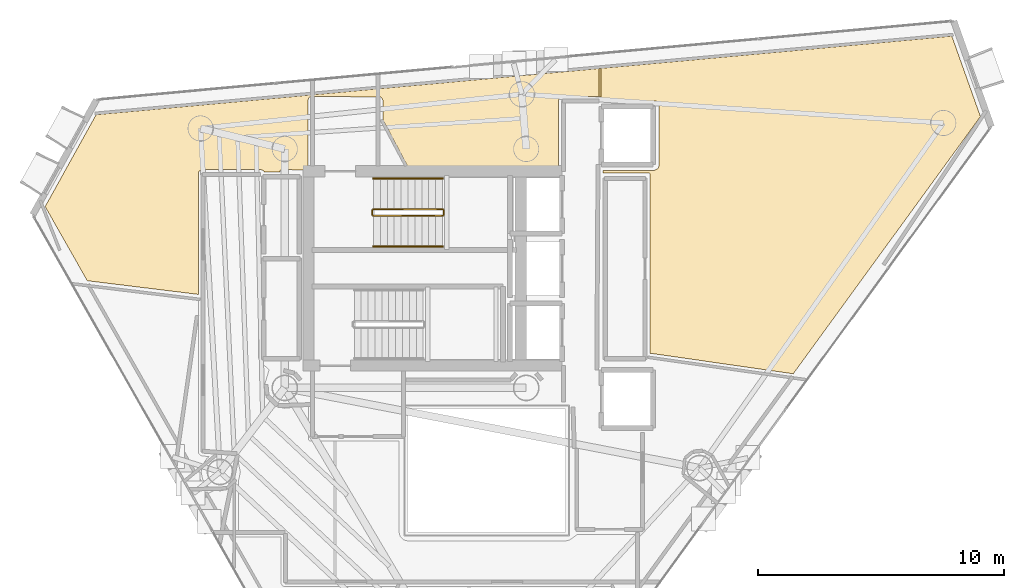
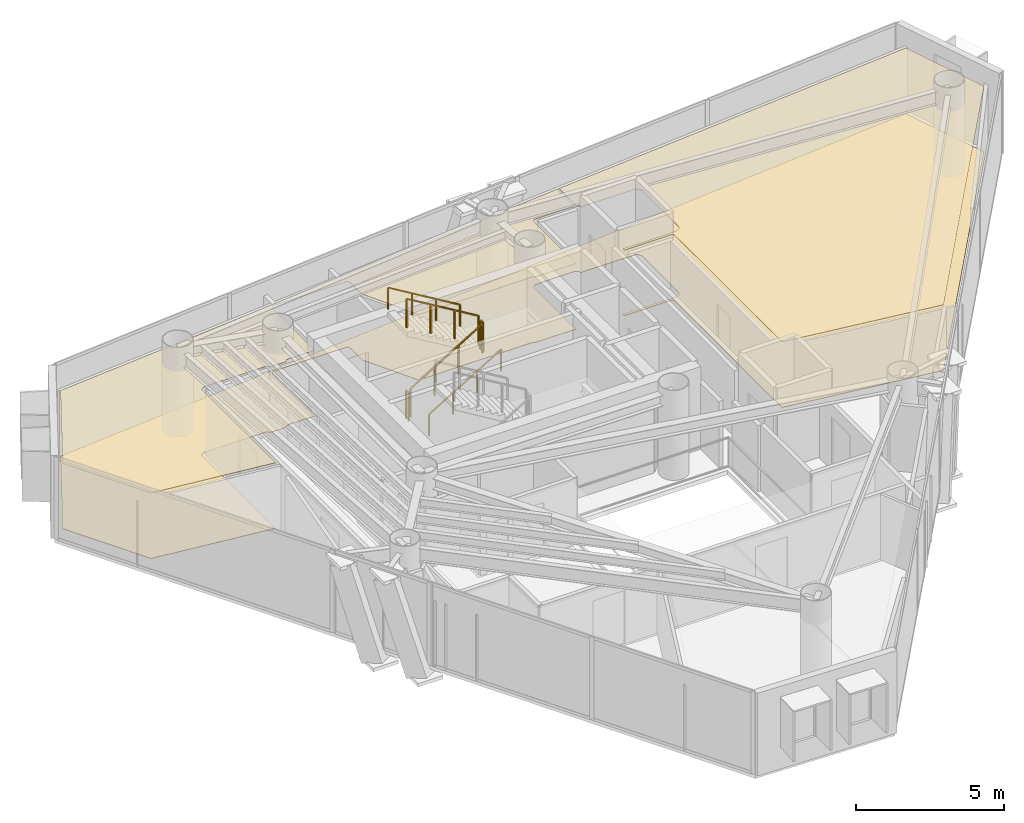
# One storey, part 21 of 21: 6 railings, 3 coverings.
"""IFC4 building model written with IfcOpenShell, lengths in metres."""

from ifc_helpers import new_model, si_unit, direction, frame, origin, origin_2d, place, context, subcontext, project, spatial, polyline, rectangle, outline, extrude, material, layer, layer_set, type_object, element, save


model = new_model("IFC4")

# Units and contexts
model_context = context("Model", 3, precision=1e-05, world=origin(), true_north=direction((0.0, 1.0)))
body_context = subcontext(model_context, "Body", "Model", "MODEL_VIEW")
ifc_project = project(units=[si_unit("LENGTHUNIT", "METRE"), si_unit("AREAUNIT", "SQUARE_METRE"), si_unit("VOLUMEUNIT", "CUBIC_METRE"), si_unit("PLANEANGLEUNIT", "RADIAN"), si_unit("MASSUNIT", "GRAM", prefix="KILO")], contexts=[model_context])

# Site, building, storey
site_placement = place(None, origin())
site = spatial("IfcSite", under=ifc_project, at=site_placement, CompositionType="ELEMENT")
building_placement = place(site_placement, origin())
building = spatial("IfcBuilding", under=site, at=building_placement, Name="Qianvela Tower", CompositionType="ELEMENT")
storey_placement = place(building_placement, frame((0.0, 0.0, 272.300048828125)))
storey = spatial("IfcBuildingStorey", under=building, at=storey_placement, Name="L70", CompositionType="ELEMENT", Elevation=272.300048828125)

# Coverings
ifc_material_1 = material(Name="Perforated Mineral Acoustic Ceiling Tile")
ifc_layer_1 = layer(ifc_material_1, 0.02490234375)
ifc_layer_set_1 = layer_set([ifc_layer_1], Name="Perforated Mineral Acoustic Ceiling Tile")
covering_type_1 = type_object("IfcCoveringType", Name="COV-CEIL-ACOUSTIC-25", PredefinedType="CEILING", material=ifc_layer_set_1)
covering_1_placement = place(storey_placement, frame((0.0, 0.0, 2.695068359375)))
element("IfcCovering", 1, at=covering_1_placement, inside=storey, type_object=covering_type_1, Name="L70 Acoustic Ceiling Bay 1 Student Bookshop Market L70-05", PredefinedType="CEILING", context=body_context, shape_type="SweptSolid", body=[
    extrude(outline(polyline([(28.54296875, 32.709716796875), (28.53662109375, 32.70947265625), (28.530029296875, 32.708740234375), (28.4677734375, 32.69921875), (28.460205078125, 32.697509765625), (28.452880859375, 32.6953125), (28.446044921875, 32.6923828125), (28.439208984375, 32.688720703125), (28.432861328125, 32.6845703125), (28.427001953125, 32.6796875), (28.42138671875, 32.674560546875), (28.41650390625, 32.668701171875), (28.412109375, 32.662353515625), (28.408447265625, 32.65576171875), (28.405517578125, 32.648681640625), (28.403076171875, 32.6416015625), (28.4013671875, 32.634033203125), (28.400390625, 32.62646484375), (28.39892578125, 32.609619140625), (27.7626953125, 32.607666015625), (27.759521484375, 32.6201171875), (27.757080078125, 32.62744140625), (27.754150390625, 32.634765625), (27.75048828125, 32.6416015625), (27.74609375, 32.648193359375), (27.7412109375, 32.654296875), (27.735595703125, 32.659912109375), (27.7294921875, 32.6650390625), (27.722900390625, 32.66943359375), (27.716064453125, 32.673095703125), (27.654296875, 32.702392578125), (27.647705078125, 32.705078125), (27.64111328125, 32.707275390625), (27.634033203125, 32.708740234375), (27.627197265625, 32.709716796875), (27.6201171875, 32.7099609375), (25.25, 32.7099609375), (25.241455078125, 32.70947265625), (25.23291015625, 32.7080078125), (25.224609375, 32.705810546875), (25.216552734375, 32.70263671875), (25.208984375, 32.698486328125), (25.13818359375, 32.65625), (25.131591796875, 32.651611328125), (25.125244140625, 32.646484375), (25.119384765625, 32.640625), (25.1142578125, 32.634033203125), (25.10986328125, 32.627197265625), (25.106201171875, 32.619873046875), (25.103271484375, 32.6123046875), (25.101318359375, 32.604248046875), (25.099853515625, 32.59619140625), (25.099365234375, 32.587890625), (25.090087890625, 27.64697265625), (20.582763671875, 28.20068359375), (18.872802734375, 31.210693359375), (20.942138671875, 34.94189453125), (41.3466796875, 36.81591796875), (41.3466796875, 35.679931640625), (39.834716796875, 35.66650390625), (39.8271484375, 35.666015625), (39.8193359375, 35.664794921875), (39.811767578125, 35.662841796875), (39.804443359375, 35.660400390625), (39.797607421875, 35.656982421875), (39.790771484375, 35.65283203125), (39.78466796875, 35.648193359375), (39.77880859375, 35.642822265625), (39.773681640625, 35.63720703125), (39.76904296875, 35.630859375), (39.764892578125, 35.624267578125), (39.7294921875, 35.5576171875), (39.72607421875, 35.550537109375), (39.723388671875, 35.543212890625), (39.721435546875, 35.53564453125), (39.720458984375, 35.52783203125), (39.719970703125, 35.52001953125), (39.719970703125, 32.719970703125), (38.125, 32.719970703125), (38.03369140625, 32.762451171875), (38.025634765625, 32.765625), (38.017333984375, 32.76806640625), (38.0087890625, 32.76953125), (38.0, 32.77001953125), (33.6298828125, 32.77001953125), (32.580078125, 34.74365234375), (32.580078125, 35.52001953125), (32.57958984375, 35.52880859375), (32.578125, 35.53759765625), (32.57568359375, 35.5458984375), (32.572265625, 35.55419921875), (32.543212890625, 35.615966796875), (32.539306640625, 35.623291015625), (32.53466796875, 35.6298828125), (32.529296875, 35.63623046875), (32.523681640625, 35.641845703125), (32.51708984375, 35.64697265625), (32.51025390625, 35.6513671875), (32.5029296875, 35.655029296875), (32.495361328125, 35.657958984375), (32.487548828125, 35.66015625), (32.4794921875, 35.661376953125), (32.47119140625, 35.661865234375), (29.700439453125, 35.679931640625), (29.692626953125, 35.6796875), (29.6845703125, 35.678466796875), (29.677001953125, 35.676513671875), (29.66943359375, 35.673828125), (29.61279296875, 35.650390625), (29.605712890625, 35.647216796875), (29.59912109375, 35.64306640625), (29.5927734375, 35.638427734375), (29.5869140625, 35.633056640625), (29.58154296875, 35.627197265625), (29.576904296875, 35.62109375), (29.572998046875, 35.6142578125), (29.569580078125, 35.607177734375), (29.546142578125, 35.550537109375), (29.54345703125, 35.543212890625), (29.54150390625, 35.53564453125), (29.540283203125, 35.52783203125), (29.5400390625, 35.52001953125), (29.5400390625, 32.700439453125), (28.54296875, 32.709716796875)])), origin(), (0.0, 0.0, 1.0), 0.02490234375),
])
covering_2_placement = place(storey_placement, frame((0.0, 0.0, 2.695068359375)))
element("IfcCovering", 2, at=covering_2_placement, inside=storey, type_object=covering_type_1, Name="L70 Acoustic Ceiling Bay 2 Student Bookshop Market L70-05", PredefinedType="CEILING", context=body_context, shape_type="SweptSolid", body=[
    extrude(outline(polyline([(55.67626953125, 38.131591796875), (56.837890625, 34.865234375), (49.239013671875, 24.42431640625), (43.429931640625, 25.2568359375), (43.429931640625, 32.5), (43.4296875, 32.5078125), (43.428466796875, 32.515625), (43.426513671875, 32.523193359375), (43.423828125, 32.530517578125), (43.420654296875, 32.53759765625), (43.41650390625, 32.54443359375), (43.411865234375, 32.55078125), (43.406494140625, 32.556640625), (43.40087890625, 32.561767578125), (43.394287109375, 32.56640625), (43.3876953125, 32.570556640625), (43.380615234375, 32.573974609375), (43.373291015625, 32.57666015625), (43.365478515625, 32.57861328125), (43.35791015625, 32.57958984375), (43.35009765625, 32.580078125), (41.52001953125, 32.580078125), (41.52001953125, 32.679931640625), (43.580078125, 32.679931640625), (43.587158203125, 32.680419921875), (43.593994140625, 32.68115234375), (43.60107421875, 32.682861328125), (43.607666015625, 32.684814453125), (43.6142578125, 32.687744140625), (43.722412109375, 32.739013671875), (43.729248046875, 32.74267578125), (43.73583984375, 32.746826171875), (43.741943359375, 32.751953125), (43.74755859375, 32.757568359375), (43.75244140625, 32.763427734375), (43.7568359375, 32.77001953125), (43.760498046875, 32.777099609375), (43.763427734375, 32.7841796875), (43.79541015625, 32.873046875), (43.7978515625, 32.8818359375), (43.799560546875, 32.890869140625), (43.800048828125, 32.89990234375), (43.800048828125, 35.300048828125), (43.7998046875, 35.30712890625), (43.798583984375, 35.314208984375), (43.797119140625, 35.3212890625), (43.794921875, 35.328125), (43.7919921875, 35.334716796875), (43.78857421875, 35.341064453125), (43.714599609375, 35.464599609375), (43.710205078125, 35.471435546875), (43.704833984375, 35.477783203125), (43.698974609375, 35.4833984375), (43.692626953125, 35.488525390625), (43.685791015625, 35.492919921875), (43.678466796875, 35.49658203125), (43.670654296875, 35.49951171875), (43.662841796875, 35.501708984375), (43.65478515625, 35.5029296875), (43.646484375, 35.50341796875), (41.513916015625, 35.519287109375), (41.51025390625, 35.564208984375), (41.50927734375, 35.57177734375), (41.5078125, 35.5791015625), (41.50537109375, 35.586181640625), (41.502197265625, 35.59326171875), (41.49853515625, 35.599853515625), (41.494140625, 35.606201171875), (41.4892578125, 35.612060546875), (41.48388671875, 35.6171875), (41.47802734375, 35.6220703125), (41.4716796875, 35.626220703125), (41.4267578125, 35.6533203125), (41.4267578125, 36.822998046875), (55.67626953125, 38.131591796875)])), origin(), (0.0, 0.0, 1.0), 0.02490234375),
])
ifc_material_2 = material(Name="Engineered Acoustic Oak Timber Flooring", Category="wood")
ifc_layer_2 = layer(ifc_material_2, 0.02001953125)
ifc_layer_set_2 = layer_set([ifc_layer_2], Name="Engineered Acoustic Oak Timber Flooring")
covering_type_2 = type_object("IfcCoveringType", Name="COV-FLOOR-OAK-20", PredefinedType="FLOORING", material=ifc_layer_set_2)
covering_3_placement = place(storey_placement, origin())
element("IfcCovering", 3, at=covering_3_placement, inside=storey, type_object=covering_type_2, Name="L70 Finish Flooring Student Bookshop Market L70-05", PredefinedType="FLOORING", context=body_context, shape_type="SweptSolid", body=[
    extrude(outline(polyline([(29.5400390625, 32.700439453125), (28.54296875, 32.709716796875), (28.53662109375, 32.70947265625), (28.530029296875, 32.708740234375), (28.4677734375, 32.69921875), (28.460205078125, 32.697509765625), (28.452880859375, 32.6953125), (28.446044921875, 32.6923828125), (28.439208984375, 32.688720703125), (28.432861328125, 32.6845703125), (28.427001953125, 32.6796875), (28.42138671875, 32.674560546875), (28.41650390625, 32.668701171875), (28.412109375, 32.662353515625), (28.408447265625, 32.65576171875), (28.405517578125, 32.648681640625), (28.403076171875, 32.6416015625), (28.4013671875, 32.634033203125), (28.400390625, 32.62646484375), (28.39892578125, 32.609619140625), (27.7626953125, 32.607666015625), (27.759521484375, 32.6201171875), (27.757080078125, 32.62744140625), (27.754150390625, 32.634765625), (27.75048828125, 32.6416015625), (27.74609375, 32.648193359375), (27.7412109375, 32.654296875), (27.735595703125, 32.659912109375), (27.7294921875, 32.6650390625), (27.722900390625, 32.66943359375), (27.716064453125, 32.673095703125), (27.654296875, 32.702392578125), (27.647705078125, 32.705078125), (27.64111328125, 32.707275390625), (27.634033203125, 32.708740234375), (27.627197265625, 32.709716796875), (27.6201171875, 32.7099609375), (25.25, 32.7099609375), (25.241455078125, 32.70947265625), (25.23291015625, 32.7080078125), (25.224609375, 32.705810546875), (25.216552734375, 32.70263671875), (25.208984375, 32.698486328125), (25.13818359375, 32.65625), (25.131591796875, 32.651611328125), (25.125244140625, 32.646484375), (25.119384765625, 32.640625), (25.1142578125, 32.634033203125), (25.10986328125, 32.627197265625), (25.106201171875, 32.619873046875), (25.103271484375, 32.6123046875), (25.101318359375, 32.604248046875), (25.099853515625, 32.59619140625), (25.099365234375, 32.587890625), (25.090087890625, 27.64697265625), (20.582763671875, 28.20068359375), (18.872802734375, 31.210693359375), (20.942138671875, 34.94189453125), (55.67626953125, 38.131591796875), (56.837890625, 34.865234375), (49.239013671875, 24.42431640625), (43.429931640625, 25.2568359375), (43.429931640625, 32.5), (43.4296875, 32.5078125), (43.428466796875, 32.515625), (43.426513671875, 32.523193359375), (43.423828125, 32.530517578125), (43.420654296875, 32.53759765625), (43.41650390625, 32.54443359375), (43.411865234375, 32.55078125), (43.406494140625, 32.556640625), (43.40087890625, 32.561767578125), (43.394287109375, 32.56640625), (43.3876953125, 32.570556640625), (43.380615234375, 32.573974609375), (43.373291015625, 32.57666015625), (43.365478515625, 32.57861328125), (43.35791015625, 32.57958984375), (43.35009765625, 32.580078125), (41.52001953125, 32.580078125), (41.52001953125, 32.679931640625), (43.580078125, 32.679931640625), (43.587158203125, 32.680419921875), (43.593994140625, 32.68115234375), (43.60107421875, 32.682861328125), (43.607666015625, 32.684814453125), (43.6142578125, 32.687744140625), (43.722412109375, 32.739013671875), (43.729248046875, 32.74267578125), (43.73583984375, 32.746826171875), (43.741943359375, 32.751953125), (43.74755859375, 32.757568359375), (43.75244140625, 32.763427734375), (43.7568359375, 32.77001953125), (43.760498046875, 32.777099609375), (43.763427734375, 32.7841796875), (43.79541015625, 32.873046875), (43.7978515625, 32.8818359375), (43.799560546875, 32.890869140625), (43.800048828125, 32.89990234375), (43.800048828125, 35.300048828125), (43.7998046875, 35.30712890625), (43.798583984375, 35.314208984375), (43.797119140625, 35.3212890625), (43.794921875, 35.328125), (43.7919921875, 35.334716796875), (43.78857421875, 35.341064453125), (43.714599609375, 35.464599609375), (43.710205078125, 35.471435546875), (43.704833984375, 35.477783203125), (43.698974609375, 35.4833984375), (43.692626953125, 35.488525390625), (43.685791015625, 35.492919921875), (43.678466796875, 35.49658203125), (43.670654296875, 35.49951171875), (43.662841796875, 35.501708984375), (43.65478515625, 35.5029296875), (43.646484375, 35.50341796875), (41.513916015625, 35.519287109375), (41.51025390625, 35.564208984375), (41.50927734375, 35.57177734375), (41.5078125, 35.5791015625), (41.50537109375, 35.586181640625), (41.502197265625, 35.59326171875), (41.49853515625, 35.599853515625), (41.494140625, 35.606201171875), (41.4892578125, 35.612060546875), (41.48388671875, 35.6171875), (41.47802734375, 35.6220703125), (41.4716796875, 35.626220703125), (41.401123046875, 35.668701171875), (41.394775390625, 35.672119140625), (41.387939453125, 35.675048828125), (41.381103515625, 35.67724609375), (41.373779296875, 35.6787109375), (41.36669921875, 35.6796875), (41.359375, 35.679931640625), (39.834716796875, 35.66650390625), (39.8271484375, 35.666015625), (39.8193359375, 35.664794921875), (39.811767578125, 35.662841796875), (39.804443359375, 35.660400390625), (39.797607421875, 35.656982421875), (39.790771484375, 35.65283203125), (39.78466796875, 35.648193359375), (39.77880859375, 35.642822265625), (39.773681640625, 35.63720703125), (39.76904296875, 35.630859375), (39.764892578125, 35.624267578125), (39.7294921875, 35.5576171875), (39.72607421875, 35.550537109375), (39.723388671875, 35.543212890625), (39.721435546875, 35.53564453125), (39.720458984375, 35.52783203125), (39.719970703125, 35.52001953125), (39.719970703125, 32.719970703125), (38.125, 32.719970703125), (38.03369140625, 32.762451171875), (38.025634765625, 32.765625), (38.017333984375, 32.76806640625), (38.0087890625, 32.76953125), (38.0, 32.77001953125), (33.6298828125, 32.77001953125), (32.580078125, 34.74365234375), (32.580078125, 35.52001953125), (32.57958984375, 35.52880859375), (32.578125, 35.53759765625), (32.57568359375, 35.5458984375), (32.572265625, 35.55419921875), (32.543212890625, 35.615966796875), (32.539306640625, 35.623291015625), (32.53466796875, 35.6298828125), (32.529296875, 35.63623046875), (32.523681640625, 35.641845703125), (32.51708984375, 35.64697265625), (32.51025390625, 35.6513671875), (32.5029296875, 35.655029296875), (32.495361328125, 35.657958984375), (32.487548828125, 35.66015625), (32.4794921875, 35.661376953125), (32.47119140625, 35.661865234375), (29.700439453125, 35.679931640625), (29.692626953125, 35.6796875), (29.6845703125, 35.678466796875), (29.677001953125, 35.676513671875), (29.66943359375, 35.673828125), (29.61279296875, 35.650390625), (29.605712890625, 35.647216796875), (29.59912109375, 35.64306640625), (29.5927734375, 35.638427734375), (29.5869140625, 35.633056640625), (29.58154296875, 35.627197265625), (29.576904296875, 35.62109375), (29.572998046875, 35.6142578125), (29.569580078125, 35.607177734375), (29.546142578125, 35.550537109375), (29.54345703125, 35.543212890625), (29.54150390625, 35.53564453125), (29.540283203125, 35.52783203125), (29.5400390625, 35.52001953125), (29.5400390625, 32.700439453125)])), origin(), (0.0, 0.0, 1.0), 0.02001953125),
])

# Railings
ifc_material_3 = material(Name="Painted Tubular Steel Q355B", Category="steel")
railing_type_1 = type_object("IfcRailingType", Name="RL-STAIR-GUARD-1200", PredefinedType="GUARDRAIL", material=ifc_material_3)
railing_1_placement = place(storey_placement, frame((32.199951171875, 30.840087890625, 0.168212890625)))
element("IfcRailing", 4, at=railing_1_placement, inside=storey, type_object=railing_type_1, Name="L70 ST-1 stair guard 1", PredefinedType="GUARDRAIL", context=body_context, shape_type="SweptSolid", body=[
    extrude(rectangle(XDim=0.050048828125, YDim=0.0400390625, at=origin_2d()), frame((0.0, 0.0, 1.179931640625), z_axis=(0.857275202839, 0.0, 0.514858452973), x_axis=(0.0, 1.0, 0.0)), (0.0, 0.0, 1.0), 3.26611328125),
    extrude(rectangle(XDim=0.050048828125, YDim=0.050048828125, at=origin_2d()), origin(), (0.0, 0.0, 1.0), 1.159912109375),
    extrude(rectangle(XDim=0.050048828125, YDim=0.050048828125, at=origin_2d()), frame((0.933349609375, 0.0, 0.560546875)), (0.0, 0.0, 1.0), 1.159912109375),
    extrude(rectangle(XDim=0.050048828125, YDim=0.050048828125, at=origin_2d()), frame((1.86669921875, 0.0, 1.12109375)), (0.0, 0.0, 1.0), 1.159912109375),
    extrude(rectangle(XDim=0.050048828125, YDim=0.050048828125, at=origin_2d()), frame((2.800048828125, 0.0, 1.681640625)), (0.0, 0.0, 1.0), 1.159912109375),
])
railing_2_placement = place(storey_placement, frame((35.050048828125, 30.889892578125, 1.849853515625)))
element("IfcRailing", 5, at=railing_2_placement, inside=storey, type_object=railing_type_1, Name="L70 ST-1 stair guard 2", PredefinedType="GUARDRAIL", context=body_context, shape_type="SweptSolid", body=[
    extrude(rectangle(XDim=0.050048828125, YDim=0.0400390625, at=origin_2d()), frame((0.0, 0.0, 1.179931640625), z_axis=(0.0, 1.0, 0.0), x_axis=(-1.0, 0.0, 0.0)), (0.0, 0.0, 1.0), 0.16015625),
    extrude(rectangle(XDim=0.050048828125, YDim=0.050048828125, at=origin_2d()), origin(), (0.0, 0.0, 1.0), 1.159912109375),
    extrude(rectangle(XDim=0.050048828125, YDim=0.050048828125, at=origin_2d()), frame((0.0, 0.16015625, 0.0)), (0.0, 0.0, 1.0), 1.159912109375),
])
railing_3_placement = place(storey_placement, frame((35.0, 31.10009765625, 2.01806640625)))
element("IfcRailing", 6, at=railing_3_placement, inside=storey, type_object=railing_type_1, Name="L70 ST-1 stair guard 3", PredefinedType="GUARDRAIL", context=body_context, shape_type="SweptSolid", body=[
    extrude(rectangle(XDim=0.050048828125, YDim=0.0400390625, at=origin_2d()), frame((0.0, 0.0, 1.179931640625), z_axis=(-0.857242210791, 0.0, 0.514913383045), x_axis=(0.0, -1.0, 0.0)), (0.0, 0.0, 1.0), 3.266357421875),
    extrude(rectangle(XDim=0.050048828125, YDim=0.050048828125, at=origin_2d()), origin(), (0.0, 0.0, 1.0), 1.159912109375),
    extrude(rectangle(XDim=0.050048828125, YDim=0.050048828125, at=origin_2d()), frame((-0.933349609375, 0.0, 0.560546875)), (0.0, 0.0, 1.0), 1.159912109375),
    extrude(rectangle(XDim=0.050048828125, YDim=0.050048828125, at=origin_2d()), frame((-1.86669921875, 0.0, 1.121337890625)), (0.0, 0.0, 1.0), 1.159912109375),
    extrude(rectangle(XDim=0.050048828125, YDim=0.050048828125, at=origin_2d()), frame((-2.800048828125, 0.0, 1.681884765625)), (0.0, 0.0, 1.0), 1.159912109375),
])
railing_4_placement = place(storey_placement, frame((32.14990234375, 30.889892578125, 0.0)))
element("IfcRailing", 7, at=railing_4_placement, inside=storey, type_object=railing_type_1, Name="L70 ST-1 stair guard 4", PredefinedType="GUARDRAIL", context=body_context, shape_type="SweptSolid", body=[
    extrude(rectangle(XDim=0.050048828125, YDim=0.0400390625, at=origin_2d()), frame((0.0, 0.0, 1.179931640625), z_axis=(0.0, 1.0, 0.0), x_axis=(-1.0, 0.0, 0.0)), (0.0, 0.0, 1.0), 0.16015625),
    extrude(rectangle(XDim=0.050048828125, YDim=0.050048828125, at=origin_2d()), origin(), (0.0, 0.0, 1.0), 1.159912109375),
    extrude(rectangle(XDim=0.050048828125, YDim=0.050048828125, at=origin_2d()), frame((0.0, 0.16015625, 0.0)), (0.0, 0.0, 1.0), 1.159912109375),
])
ifc_material_4 = material(Name="Brushed Stainless Steel 304", Category="steel")
railing_type_2 = type_object("IfcRailingType", Name="RL-STAIR-HANDRAIL-900", PredefinedType="HANDRAIL", material=ifc_material_4)
railing_5_placement = place(storey_placement, frame((32.199951171875, 29.590087890625, 0.168212890625)))
element("IfcRailing", 8, at=railing_5_placement, inside=storey, type_object=railing_type_2, Name="L70 ST-1 stair handrail 1", PredefinedType="HANDRAIL", context=body_context, shape_type="SweptSolid", body=[
    extrude(rectangle(XDim=0.050048828125, YDim=0.0400390625, at=origin_2d()), frame((0.0, 0.0, 0.8798828125), z_axis=(0.857275202839, 0.0, 0.514858452973), x_axis=(0.0, 1.0, 0.0)), (0.0, 0.0, 1.0), 3.26611328125),
    extrude(rectangle(XDim=0.050048828125, YDim=0.050048828125, at=origin_2d()), origin(), (0.0, 0.0, 1.0), 0.85986328125),
    extrude(rectangle(XDim=0.050048828125, YDim=0.050048828125, at=origin_2d()), frame((0.933349609375, 0.0, 0.560546875)), (0.0, 0.0, 1.0), 0.85986328125),
    extrude(rectangle(XDim=0.050048828125, YDim=0.050048828125, at=origin_2d()), frame((1.86669921875, 0.0, 1.12109375)), (0.0, 0.0, 1.0), 0.85986328125),
    extrude(rectangle(XDim=0.050048828125, YDim=0.050048828125, at=origin_2d()), frame((2.800048828125, 0.0, 1.681640625)), (0.0, 0.0, 1.0), 0.85986328125),
])
railing_6_placement = place(storey_placement, frame((35.0, 32.35009765625, 2.01806640625)))
element("IfcRailing", 9, at=railing_6_placement, inside=storey, type_object=railing_type_2, Name="L70 ST-1 stair handrail 2", PredefinedType="HANDRAIL", context=body_context, shape_type="SweptSolid", body=[
    extrude(rectangle(XDim=0.050048828125, YDim=0.0400390625, at=origin_2d()), frame((0.0, 0.0, 0.8798828125), z_axis=(-0.857242210791, 0.0, 0.514913383045), x_axis=(0.0, -1.0, 0.0)), (0.0, 0.0, 1.0), 3.266357421875),
    extrude(rectangle(XDim=0.050048828125, YDim=0.050048828125, at=origin_2d()), origin(), (0.0, 0.0, 1.0), 0.85986328125),
    extrude(rectangle(XDim=0.050048828125, YDim=0.050048828125, at=origin_2d()), frame((-0.933349609375, 0.0, 0.560546875)), (0.0, 0.0, 1.0), 0.85986328125),
    extrude(rectangle(XDim=0.050048828125, YDim=0.050048828125, at=origin_2d()), frame((-1.86669921875, 0.0, 1.121337890625)), (0.0, 0.0, 1.0), 0.85986328125),
    extrude(rectangle(XDim=0.050048828125, YDim=0.050048828125, at=origin_2d()), frame((-2.800048828125, 0.0, 1.681884765625)), (0.0, 0.0, 1.0), 0.85986328125),
])

save(model, "model.ifc")
